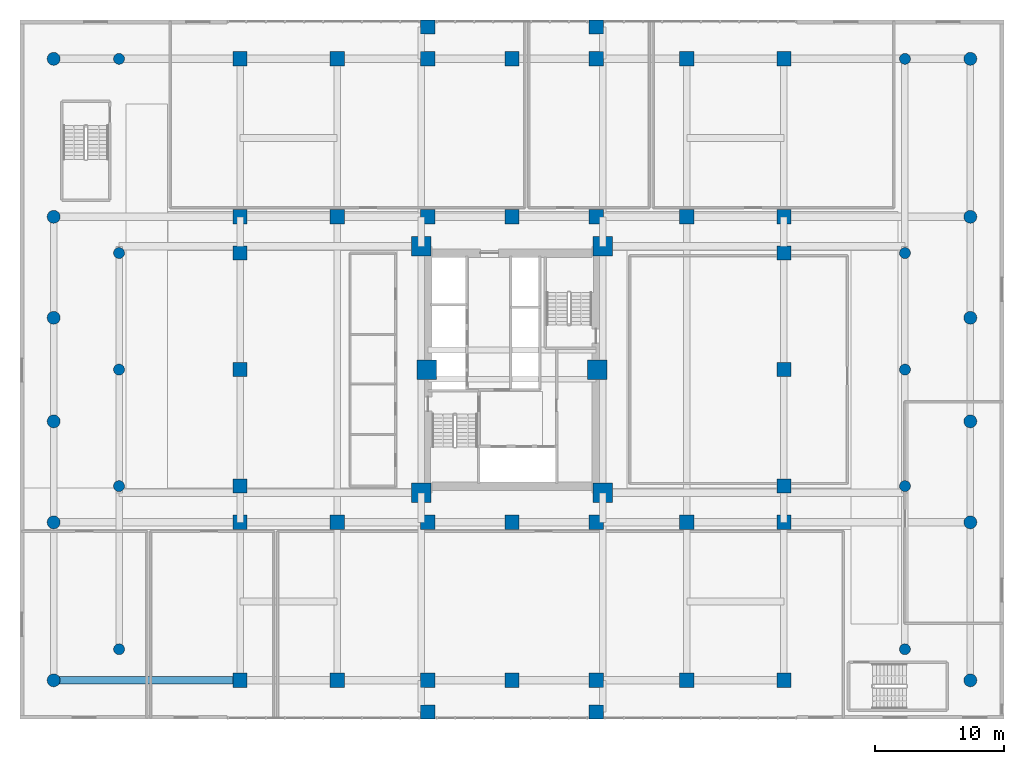
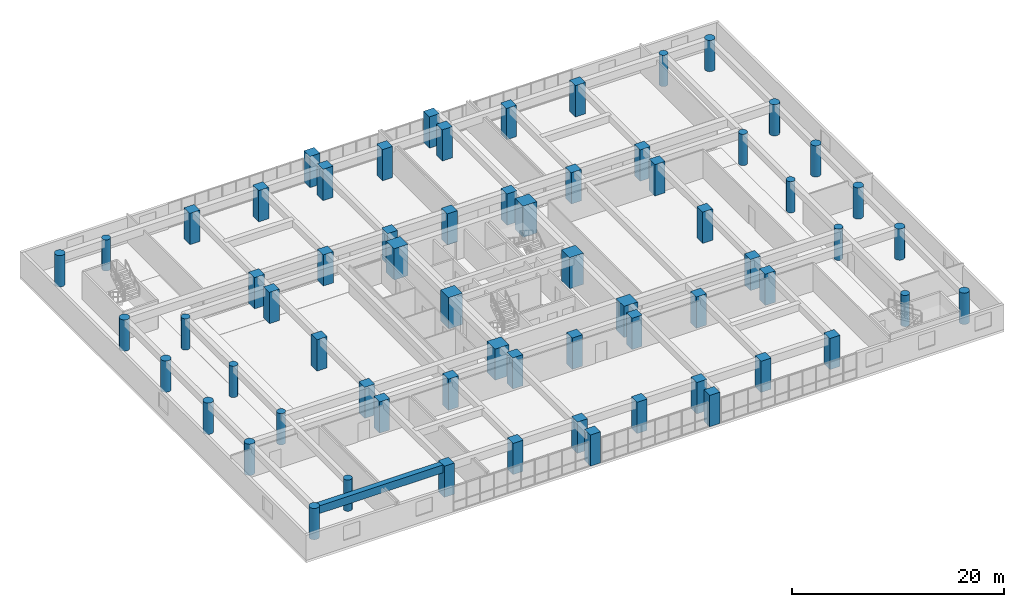
# One storey, part 1 of 30: 66 columns, 1 beam.
"""IFC4 building model written with IfcOpenShell, lengths in metres."""

from ifc_helpers import new_model, si_unit, direction, frame, origin, origin_2d, place, context, subcontext, project, spatial, rectangle, circle, extrude, source, transform, mapped, material, material_profile, profile_set, type_object, element, save


model = new_model("IFC4")

# Units and contexts
model_context = context("Model", 3, precision=1e-05, world=origin(), true_north=direction((0.0, 1.0)))
body_context = subcontext(model_context, "Body", "Model", "MODEL_VIEW")
ifc_project = project(units=[si_unit("LENGTHUNIT", "METRE"), si_unit("AREAUNIT", "SQUARE_METRE"), si_unit("VOLUMEUNIT", "CUBIC_METRE"), si_unit("PLANEANGLEUNIT", "RADIAN"), si_unit("MASSUNIT", "GRAM", prefix="KILO")], contexts=[model_context])

# Site, building, storey
site_placement = place(None, origin())
site = spatial("IfcSite", under=ifc_project, at=site_placement, CompositionType="ELEMENT")
building_placement = place(site_placement, origin())
building = spatial("IfcBuilding", under=site, at=building_placement, Name="Saelheon Loggia Tower", CompositionType="ELEMENT")
storey_placement = place(building_placement, frame((0.0, 0.0, 11.39990234375)))
storey = spatial("IfcBuildingStorey", under=building, at=storey_placement, Name="L03", CompositionType="ELEMENT", Elevation=11.39990234375)

# Columns
ifc_material_1 = material(Name="Concrete C60/75", Category="concrete")
ifc_material_profile_1 = material_profile(ifc_material_1, rectangle(XDim=1.5, YDim=1.5, at=origin_2d()), Name="RC-1500x1500")
ifc_profile_set_1 = profile_set([ifc_material_profile_1], Name="Concrete C60/75")
column_type_1 = type_object("IfcColumnType", Name="Col_Core_RC1500", PredefinedType="COLUMN", material=ifc_profile_set_1)
shared_shape_1 = source(origin(), body_context, "Body", "SweptSolid", [
    extrude(rectangle(XDim=1.5, YDim=1.5, at=origin_2d()), origin(), (0.0, 0.0, 1.0), 3.60009765625),
])
for number, where, z_axis, x_axis, name in (
    (1, (30.97998046875, 17.47998046875, 0.0), (0.0, 0.0, 1.0), (1.0, 0.0, 0.0), "L03 Core Column CR-SW"),
    (2, (45.02001953125, 17.47998046875, 0.0), (0.0, 0.0, 1.0), (1.0, 0.0, 0.0), "L03 Core Column CR-SE"),
    (3, (30.97998046875, 36.52001953125, 0.0), (0.0, 0.0, 1.0), (1.0, 0.0, 0.0), "L03 Core Column CR-NW"),
    (4, (45.02001953125, 36.52001953125, 0.0), (0.0, 0.0, 1.0), (1.0, 0.0, 0.0), "L03 Core Column CR-NE"),
    (5, (31.419921875, 27.0, 0.0), (0.0, 0.0, 1.0), (1.0, 0.0, 0.0), "L03 Core Column CR-MW"),
    (6, (44.580078125, 27.0, 0.0), (0.0, 0.0, 1.0), (1.0, 0.0, 0.0), "L03 Core Column CR-ME"),
):
    element("IfcColumn", number, at=place(storey_placement, frame(where, z_axis=z_axis, x_axis=x_axis)), inside=storey, type_object=column_type_1, Name=name, PredefinedType="COLUMN", context=body_context, shape_type="MappedRepresentation", body=[
        mapped(shared_shape_1, transform((0.0, 0.0, 0.0), scale=1.0)),
    ])
ifc_material_2 = material(Name="Concrete C50/60", Category="concrete")
ifc_material_profile_2 = material_profile(ifc_material_2, circle(Radius=0.5, at=origin_2d()), Name="CIRC-1000")
ifc_profile_set_2 = profile_set([ifc_material_profile_2], Name="Concrete C50/60")
column_type_2 = type_object("IfcColumnType", Name="Col_Podium_CIRC1000", PredefinedType="COLUMN", material=ifc_profile_set_2)
shared_shape_2 = source(origin(), body_context, "Body", "SweptSolid", [
    extrude(circle(Radius=0.5, at=origin_2d()), origin(), (0.0, 0.0, 1.0), 3.60009765625),
])
for number, where, z_axis, x_axis, name in (
    (7, (2.60009765625, 3.0, 0.0), (0.0, 0.0, 1.0), (1.0, 0.0, 0.0), "L03 Podium Column PW1"),
    (8, (73.39990234375, 3.0, 0.0), (0.0, 0.0, 1.0), (1.0, 0.0, 0.0), "L03 Podium Column PE1"),
    (9, (2.60009765625, 15.199951171875, 0.0), (0.0, 0.0, 1.0), (1.0, 0.0, 0.0), "L03 Podium Column PW2"),
    (10, (73.39990234375, 15.199951171875, 0.0), (0.0, 0.0, 1.0), (1.0, 0.0, 0.0), "L03 Podium Column PE2"),
    (11, (2.60009765625, 23.0, 0.0), (0.0, 0.0, 1.0), (1.0, 0.0, 0.0), "L03 Podium Column PW3"),
    (12, (73.39990234375, 23.0, 0.0), (0.0, 0.0, 1.0), (1.0, 0.0, 0.0), "L03 Podium Column PE3"),
    (13, (2.60009765625, 31.0, 0.0), (0.0, 0.0, 1.0), (1.0, 0.0, 0.0), "L03 Podium Column PW4"),
    (14, (73.39990234375, 31.0, 0.0), (0.0, 0.0, 1.0), (1.0, 0.0, 0.0), "L03 Podium Column PE4"),
    (15, (2.60009765625, 38.800048828125, 0.0), (0.0, 0.0, 1.0), (1.0, 0.0, 0.0), "L03 Podium Column PW5"),
    (16, (73.39990234375, 38.800048828125, 0.0), (0.0, 0.0, 1.0), (1.0, 0.0, 0.0), "L03 Podium Column PE5"),
    (17, (2.60009765625, 51.0, 0.0), (0.0, 0.0, 1.0), (1.0, 0.0, 0.0), "L03 Podium Column PW6"),
    (18, (73.39990234375, 51.0, 0.0), (0.0, 0.0, 1.0), (1.0, 0.0, 0.0), "L03 Podium Column PE6"),
):
    element("IfcColumn", number, at=place(storey_placement, frame(where, z_axis=z_axis, x_axis=x_axis)), inside=storey, type_object=column_type_2, Name=name, PredefinedType="COLUMN", context=body_context, shape_type="MappedRepresentation", body=[
        mapped(shared_shape_2, transform((0.0, 0.0, 0.0), scale=1.0)),
    ])
ifc_material_3 = material(Name="Concrete C45/55", Category="concrete")
ifc_material_profile_3 = material_profile(ifc_material_3, circle(Radius=0.425048828125, at=origin_2d()), Name="CIRC-850")
ifc_profile_set_3 = profile_set([ifc_material_profile_3], Name="Concrete C45/55")
column_type_3 = type_object("IfcColumnType", Name="Col_Podium_CIRC850", PredefinedType="COLUMN", material=ifc_profile_set_3)
shared_shape_3 = source(origin(), body_context, "Body", "SweptSolid", [
    extrude(circle(Radius=0.425048828125, at=origin_2d()), origin(), (0.0, 0.0, 1.0), 3.60009765625),
])
for number, where, z_axis, x_axis, name in (
    (19, (7.64990234375, 5.39990234375, 0.0), (0.0, 0.0, 1.0), (1.0, 0.0, 0.0), "L03 Podium Column PMW1"),
    (20, (68.35009765625, 5.39990234375, 0.0), (0.0, 0.0, 1.0), (1.0, 0.0, 0.0), "L03 Podium Column PME1"),
    (21, (7.64990234375, 18.0, 0.0), (0.0, 0.0, 1.0), (1.0, 0.0, 0.0), "L03 Podium Column PMW2"),
    (22, (68.35009765625, 18.0, 0.0), (0.0, 0.0, 1.0), (1.0, 0.0, 0.0), "L03 Podium Column PME2"),
    (23, (7.64990234375, 27.0, 0.0), (0.0, 0.0, 1.0), (1.0, 0.0, 0.0), "L03 Podium Column PMW3"),
    (24, (68.35009765625, 27.0, 0.0), (0.0, 0.0, 1.0), (1.0, 0.0, 0.0), "L03 Podium Column PME3"),
    (25, (7.64990234375, 36.0, 0.0), (0.0, 0.0, 1.0), (1.0, 0.0, 0.0), "L03 Podium Column PMW4"),
    (26, (68.35009765625, 36.0, 0.0), (0.0, 0.0, 1.0), (1.0, 0.0, 0.0), "L03 Podium Column PME4"),
    (27, (7.64990234375, 51.0, 0.0), (0.0, 0.0, 1.0), (1.0, 0.0, 0.0), "L03 Podium Column PMW5"),
    (28, (68.35009765625, 51.0, 0.0), (0.0, 0.0, 1.0), (1.0, 0.0, 0.0), "L03 Podium Column PME5"),
):
    element("IfcColumn", number, at=place(storey_placement, frame(where, z_axis=z_axis, x_axis=x_axis)), inside=storey, type_object=column_type_3, Name=name, PredefinedType="COLUMN", context=body_context, shape_type="MappedRepresentation", body=[
        mapped(shared_shape_3, transform((0.0, 0.0, 0.0), scale=1.0)),
    ])
ifc_material_profile_4 = material_profile(ifc_material_2, rectangle(XDim=1.10009765625, YDim=1.10009765625, at=origin_2d()), Name="RC-1100x1100")
ifc_profile_set_4 = profile_set([ifc_material_profile_4], Name="Concrete C50/60")
column_type_4 = type_object("IfcColumnType", Name="Col_Perim_RC1100", PredefinedType="COLUMN", material=ifc_profile_set_4)
shared_shape_4 = source(origin(), body_context, "Body", "SweptSolid", [
    extrude(rectangle(XDim=1.10009765625, YDim=1.10009765625, at=origin_2d()), origin(), (0.0, 0.0, 1.0), 3.60009765625),
])
for number, where, z_axis, x_axis, name in (
    (29, (17.0, 3.0, 0.0), (0.0, 0.0, 1.0), (1.0, 0.0, 0.0), "L03 Podium Column PIW1"),
    (30, (59.0, 3.0, 0.0), (0.0, 0.0, 1.0), (1.0, 0.0, 0.0), "L03 Podium Column PIE1"),
    (31, (17.0, 15.199951171875, 0.0), (0.0, 0.0, 1.0), (1.0, 0.0, 0.0), "L03 Podium Column PIW2"),
    (32, (59.0, 15.199951171875, 0.0), (0.0, 0.0, 1.0), (1.0, 0.0, 0.0), "L03 Podium Column PIE2"),
    (33, (17.0, 18.0, 0.0), (0.0, 0.0, 1.0), (1.0, 0.0, 0.0), "L03 Podium Column PIW3"),
    (34, (59.0, 18.0, 0.0), (0.0, 0.0, 1.0), (1.0, 0.0, 0.0), "L03 Podium Column PIE3"),
    (35, (17.0, 27.0, 0.0), (0.0, 0.0, 1.0), (1.0, 0.0, 0.0), "L03 Podium Column PIW4"),
    (36, (59.0, 27.0, 0.0), (0.0, 0.0, 1.0), (1.0, 0.0, 0.0), "L03 Podium Column PIE4"),
    (37, (17.0, 36.0, 0.0), (0.0, 0.0, 1.0), (1.0, 0.0, 0.0), "L03 Podium Column PIW5"),
    (38, (59.0, 36.0, 0.0), (0.0, 0.0, 1.0), (1.0, 0.0, 0.0), "L03 Podium Column PIE5"),
    (39, (17.0, 38.800048828125, 0.0), (0.0, 0.0, 1.0), (1.0, 0.0, 0.0), "L03 Podium Column PIW6"),
    (40, (59.0, 38.800048828125, 0.0), (0.0, 0.0, 1.0), (1.0, 0.0, 0.0), "L03 Podium Column PIE6"),
    (41, (17.0, 51.0, 0.0), (0.0, 0.0, 1.0), (1.0, 0.0, 0.0), "L03 Podium Column PIW7"),
    (42, (59.0, 51.0, 0.0), (0.0, 0.0, 1.0), (1.0, 0.0, 0.0), "L03 Podium Column PIE7"),
    (43, (24.5, 3.0, 0.0), (0.0, 0.0, 1.0), (1.0, 0.0, 0.0), "L03 Podium Column C24Y030"),
    (44, (24.5, 15.199951171875, 0.0), (0.0, 0.0, 1.0), (1.0, 0.0, 0.0), "L03 Podium Column C24Y152"),
    (45, (24.5, 38.800048828125, 0.0), (0.0, 0.0, 1.0), (1.0, 0.0, 0.0), "L03 Podium Column C24Y388"),
    (46, (24.5, 51.0, 0.0), (0.0, 0.0, 1.0), (1.0, 0.0, 0.0), "L03 Podium Column C24Y510"),
):
    element("IfcColumn", number, at=place(storey_placement, frame(where, z_axis=z_axis, x_axis=x_axis)), inside=storey, type_object=column_type_4, Name=name, PredefinedType="COLUMN", context=body_context, shape_type="MappedRepresentation", body=[
        mapped(shared_shape_4, transform((0.0, 0.0, 0.0), scale=1.0)),
    ])
ifc_material_profile_5 = material_profile(ifc_material_2, rectangle(XDim=1.10009765625, YDim=1.10009765625, at=origin_2d()), Name="RC-1100x1100")
ifc_profile_set_5 = profile_set([ifc_material_profile_5], Name="Concrete C50/60")
column_type_5 = type_object("IfcColumnType", Name="Col_PerimExt_RC1100", PredefinedType="COLUMN", material=ifc_profile_set_5)
column_1_placement = place(storey_placement, frame((31.5, 0.550048828125, 0.0), z_axis=(0.0, 0.0, 1.0), x_axis=(1.0, 0.0, 0.0)))
element("IfcColumn", 47, at=column_1_placement, inside=storey, type_object=column_type_5, Name="L03 Podium Column C31Y006", PredefinedType="COLUMN", context=body_context, shape_type="MappedRepresentation", body=[
    mapped(shared_shape_4, transform((0.0, 0.0, 0.0), scale=1.0)),
])
for number, where, z_axis, x_axis, name in (
    (48, (31.5, 3.0, 0.0), (0.0, 0.0, 1.0), (1.0, 0.0, 0.0), "L03 Podium Column C31Y030"),
    (49, (31.5, 15.199951171875, 0.0), (0.0, 0.0, 1.0), (1.0, 0.0, 0.0), "L03 Podium Column C31Y152"),
    (50, (31.5, 38.800048828125, 0.0), (0.0, 0.0, 1.0), (1.0, 0.0, 0.0), "L03 Podium Column C31Y388"),
    (51, (31.5, 51.0, 0.0), (0.0, 0.0, 1.0), (1.0, 0.0, 0.0), "L03 Podium Column C31Y510"),
):
    element("IfcColumn", number, at=place(storey_placement, frame(where, z_axis=z_axis, x_axis=x_axis)), inside=storey, type_object=column_type_4, Name=name, PredefinedType="COLUMN", context=body_context, shape_type="MappedRepresentation", body=[
        mapped(shared_shape_4, transform((0.0, 0.0, 0.0), scale=1.0)),
    ])
column_2_placement = place(storey_placement, frame((31.5, 53.449951171875, 0.0), z_axis=(0.0, 0.0, 1.0), x_axis=(1.0, 0.0, 0.0)))
element("IfcColumn", 52, at=column_2_placement, inside=storey, type_object=column_type_5, Name="L03 Podium Column C31Y534", PredefinedType="COLUMN", context=body_context, shape_type="MappedRepresentation", body=[
    mapped(shared_shape_4, transform((0.0, 0.0, 0.0), scale=1.0)),
])
for number, where, z_axis, x_axis, name in (
    (53, (38.0, 3.0, 0.0), (0.0, 0.0, 1.0), (1.0, 0.0, 0.0), "L03 Podium Column C38Y030"),
    (54, (38.0, 15.199951171875, 0.0), (0.0, 0.0, 1.0), (1.0, 0.0, 0.0), "L03 Podium Column C38Y152"),
    (55, (38.0, 38.800048828125, 0.0), (0.0, 0.0, 1.0), (1.0, 0.0, 0.0), "L03 Podium Column C38Y388"),
    (56, (38.0, 51.0, 0.0), (0.0, 0.0, 1.0), (1.0, 0.0, 0.0), "L03 Podium Column C38Y510"),
):
    element("IfcColumn", number, at=place(storey_placement, frame(where, z_axis=z_axis, x_axis=x_axis)), inside=storey, type_object=column_type_4, Name=name, PredefinedType="COLUMN", context=body_context, shape_type="MappedRepresentation", body=[
        mapped(shared_shape_4, transform((0.0, 0.0, 0.0), scale=1.0)),
    ])
column_3_placement = place(storey_placement, frame((44.5, 0.550048828125, 0.0), z_axis=(0.0, 0.0, 1.0), x_axis=(1.0, 0.0, 0.0)))
element("IfcColumn", 57, at=column_3_placement, inside=storey, type_object=column_type_5, Name="L03 Podium Column C44Y006", PredefinedType="COLUMN", context=body_context, shape_type="MappedRepresentation", body=[
    mapped(shared_shape_4, transform((0.0, 0.0, 0.0), scale=1.0)),
])
for number, where, z_axis, x_axis, name in (
    (58, (44.5, 3.0, 0.0), (0.0, 0.0, 1.0), (1.0, 0.0, 0.0), "L03 Podium Column C44Y030"),
    (59, (44.5, 15.199951171875, 0.0), (0.0, 0.0, 1.0), (1.0, 0.0, 0.0), "L03 Podium Column C44Y152"),
    (60, (44.5, 38.800048828125, 0.0), (0.0, 0.0, 1.0), (1.0, 0.0, 0.0), "L03 Podium Column C44Y388"),
    (61, (44.5, 51.0, 0.0), (0.0, 0.0, 1.0), (1.0, 0.0, 0.0), "L03 Podium Column C44Y510"),
):
    element("IfcColumn", number, at=place(storey_placement, frame(where, z_axis=z_axis, x_axis=x_axis)), inside=storey, type_object=column_type_4, Name=name, PredefinedType="COLUMN", context=body_context, shape_type="MappedRepresentation", body=[
        mapped(shared_shape_4, transform((0.0, 0.0, 0.0), scale=1.0)),
    ])
column_4_placement = place(storey_placement, frame((44.5, 53.449951171875, 0.0), z_axis=(0.0, 0.0, 1.0), x_axis=(1.0, 0.0, 0.0)))
element("IfcColumn", 62, at=column_4_placement, inside=storey, type_object=column_type_5, Name="L03 Podium Column C44Y534", PredefinedType="COLUMN", context=body_context, shape_type="MappedRepresentation", body=[
    mapped(shared_shape_4, transform((0.0, 0.0, 0.0), scale=1.0)),
])
for number, where, z_axis, x_axis, name in (
    (63, (51.5, 3.0, 0.0), (0.0, 0.0, 1.0), (1.0, 0.0, 0.0), "L03 Podium Column C51Y030"),
    (64, (51.5, 15.199951171875, 0.0), (0.0, 0.0, 1.0), (1.0, 0.0, 0.0), "L03 Podium Column C51Y152"),
    (65, (51.5, 38.800048828125, 0.0), (0.0, 0.0, 1.0), (1.0, 0.0, 0.0), "L03 Podium Column C51Y388"),
    (66, (51.5, 51.0, 0.0), (0.0, 0.0, 1.0), (1.0, 0.0, 0.0), "L03 Podium Column C51Y510"),
):
    element("IfcColumn", number, at=place(storey_placement, frame(where, z_axis=z_axis, x_axis=x_axis)), inside=storey, type_object=column_type_4, Name=name, PredefinedType="COLUMN", context=body_context, shape_type="MappedRepresentation", body=[
        mapped(shared_shape_4, transform((0.0, 0.0, 0.0), scale=1.0)),
    ])

# Beam
ifc_material_profile_6 = material_profile(ifc_material_2, rectangle(XDim=0.60009765625, YDim=0.89990234375, at=origin_2d()), Name="RC-600x900")
ifc_profile_set_6 = profile_set([ifc_material_profile_6], Name="Concrete C50/60")
beam_type = type_object("IfcBeamType", Name="Beam_MainGirder_RC600x900", PredefinedType="BEAM", material=ifc_profile_set_6)
shared_shape_5 = source(origin(), body_context, "Body", "SweptSolid", [
    extrude(rectangle(XDim=0.60009765625, YDim=0.89990234375, at=origin_2d()), origin(), (0.0, 0.0, 1.0), 14.39990234375),
])
beam_placement = place(storey_placement, frame((2.60009765625, 3.0, 3.150146484375), z_axis=(1.0, 0.0, 0.0), x_axis=(0.0, 1.0, 0.0)))
element("IfcBeam", 67, at=beam_placement, inside=storey, type_object=beam_type, Name="BM-L03-EW-3-1", PredefinedType="BEAM", context=body_context, shape_type="MappedRepresentation", body=[
    mapped(shared_shape_5, transform((0.0, 0.0, 0.0), scale=1.0)),
])

save(model, "model.ifc")
